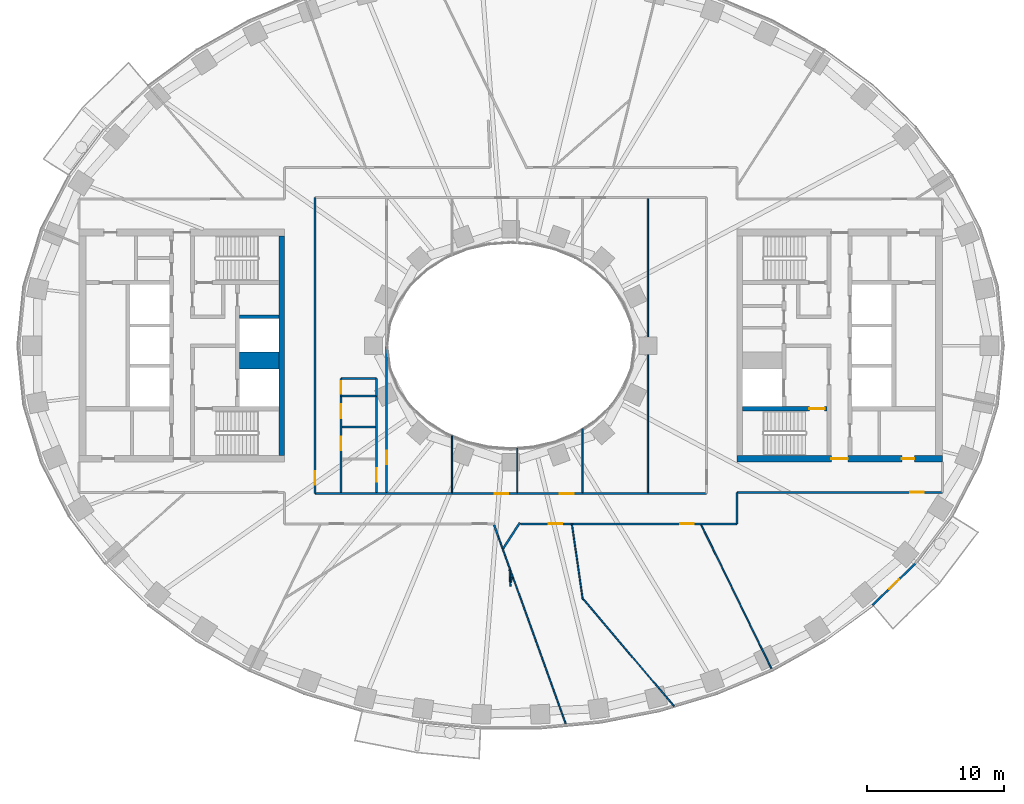
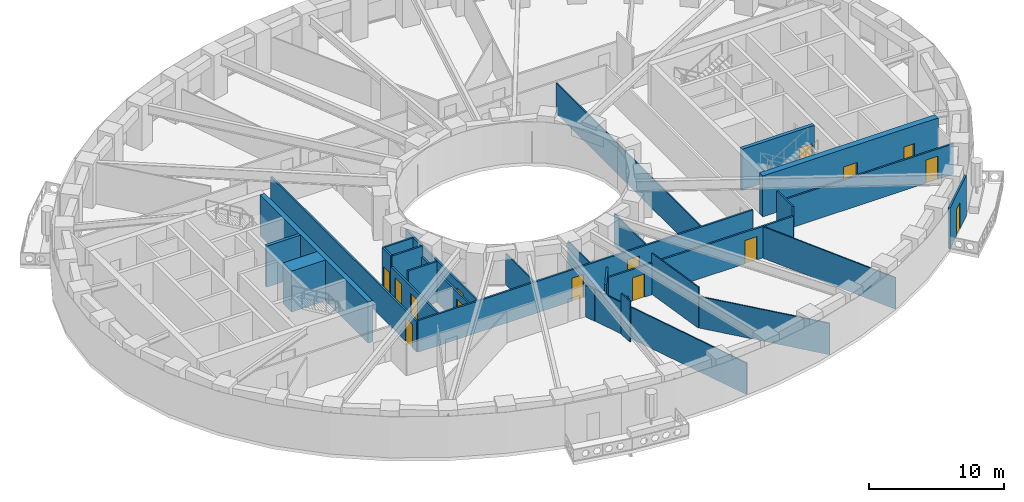
# One storey, part 4 of 16: 32 walls, 15 doors, 15 openings.
"""IFC4 building model written with IfcOpenShell, lengths in metres."""

from ifc_helpers import new_model, si_unit, direction, frame, frame_2d, origin, place, context, subcontext, project, spatial, rectangle, extrude, material, layer, layer_set, type_object, element, fill, save


model = new_model("IFC4")

# Units and contexts
model_context = context("Model", 3, precision=1e-05, world=origin(), true_north=direction((0.0, 1.0)))
body_context = subcontext(model_context, "Body", "Model", "MODEL_VIEW")
ifc_project = project(units=[si_unit("LENGTHUNIT", "METRE"), si_unit("AREAUNIT", "SQUARE_METRE"), si_unit("VOLUMEUNIT", "CUBIC_METRE"), si_unit("PLANEANGLEUNIT", "RADIAN"), si_unit("MASSUNIT", "GRAM", prefix="KILO")], contexts=[model_context])

# Site, building, storey
site_placement = place(None, origin())
site = spatial("IfcSite", under=ifc_project, at=site_placement, CompositionType="ELEMENT")
building_placement = place(site_placement, origin())
building = spatial("IfcBuilding", under=site, at=building_placement, Name="Noorbagh Ring Tower", CompositionType="ELEMENT")
storey_placement = place(building_placement, frame((0.0, 0.0, 58.5)))
storey = spatial("IfcBuildingStorey", under=building, at=storey_placement, Name="L12", CompositionType="ELEMENT", Elevation=58.5)

# Wall, opening, door
ifc_material_1 = material(Name="Gypsum board on steel studs", Category="steel")
ifc_layer_1 = layer(ifc_material_1, 0.14990234375)
ifc_layer_set_1 = layer_set([ifc_layer_1], Name="Gypsum board on steel studs")
wall_type_1 = type_object("IfcWallType", Name="COMPARTMENT PARTITION 150 EI 60", PredefinedType="PARTITIONING", material=ifc_layer_set_1)
wall_1_placement = place(storey_placement, frame((-12.39990234375, -3.659912109375, 0.0), z_axis=(0.0, 0.0, 1.0), x_axis=(0.0, 1.0, 0.0)))
wall_1 = element("IfcWall", 1, at=wall_1_placement, inside=storey, type_object=wall_type_1, Name="L12/wall/P21", PredefinedType="PARTITIONING", context=body_context, shape_type="SweptSolid", body=[
    extrude(rectangle(XDim=1.260009765625, YDim=0.14990234375, at=frame_2d((0.6298828125, 0.0))), origin(), (0.0, 0.0, 1.0), 3.699951171875),
])
opening_1_placement = place(wall_1_placement, frame((0.14990234375, 0.0, 0.0)))
opening_1 = element("IfcOpeningElement", 2, at=opening_1_placement, cuts=wall_1, Name="Opening D4", PredefinedType="OPENING", context=body_context, shape_type="SweptSolid", body=[
    extrude(rectangle(XDim=0.89990234375, YDim=2.10009765625, at=frame_2d((0.449951171875, 1.050048828125))), frame((0.0, 0.0849609375, 0.0), z_axis=(0.0, -1.0, 0.0), x_axis=(1.0, 0.0, 0.0)), (0.0, 0.0, 1.0), 0.169921875),
])
ifc_material_2 = material(Name="Timber, painted", Category="wood")
door_type_1 = type_object("IfcDoorType", Name="DOOR 900 X 2100 FD60", OperationType="SINGLE_SWING_LEFT", PredefinedType="DOOR", material=ifc_material_2)
door_1_placement = place(opening_1_placement, origin())
door_1 = element("IfcDoor", 3, at=door_1_placement, inside=storey, type_object=door_type_1, Name="L12-D05", OperationType="SINGLE_SWING_LEFT", OverallHeight=2.10009765625, OverallWidth=0.89990234375, PredefinedType="DOOR", context=body_context, shape_type="SweptSolid", body=[
    extrude(rectangle(XDim=0.89990234375, YDim=2.10009765625, at=frame_2d((0.449951171875, 1.050048828125))), frame((0.0, 0.02490234375, 0.0), z_axis=(0.0, -1.0, 0.0), x_axis=(1.0, 0.0, 0.0)), (0.0, 0.0, 1.0), 0.050048828125),
])
fill(opening_1, door_1)

# Walls
wall_2_placement = place(storey_placement, frame((-12.39990234375, -3.659912109375, 0.0), z_axis=(0.0, 0.0, 1.0), x_axis=(1.0, 0.0, 0.0)))
element("IfcWall", 4, at=wall_2_placement, inside=storey, type_object=wall_type_1, Name="L12/wall/P22", PredefinedType="PARTITIONING", context=body_context, shape_type="SweptSolid", body=[
    extrude(rectangle(XDim=2.599853515625, YDim=0.14990234375, at=frame_2d((1.2998046875, 0.0))), origin(), (0.0, 0.0, 1.0), 3.699951171875),
])
wall_3_placement = place(storey_placement, frame((-12.39990234375, -2.39990234375, 0.0), z_axis=(0.0, 0.0, 1.0), x_axis=(1.0, 0.0, 0.0)))
element("IfcWall", 5, at=wall_3_placement, inside=storey, type_object=wall_type_1, Name="L12/wall/P23", PredefinedType="PARTITIONING", context=body_context, shape_type="SweptSolid", body=[
    extrude(rectangle(XDim=2.595947265625, YDim=0.14990234375, at=frame_2d((1.2978515625, 0.0))), origin(), (0.0, 0.0, 1.0), 3.699951171875),
])
wall_4_placement = place(storey_placement, frame((-9.800048828125, -3.659912109375, 0.0), z_axis=(0.0, 0.0, 1.0), x_axis=(0.0, 1.0, 0.0)))
element("IfcWall", 6, at=wall_4_placement, inside=storey, type_object=wall_type_1, Name="L12/wall/P26", PredefinedType="PARTITIONING", context=body_context, shape_type="SweptSolid", body=[
    extrude(rectangle(XDim=1.255859375, YDim=0.14990234375, at=frame_2d((0.6279296875, 0.0))), origin(), (0.0, 0.0, 1.0), 3.699951171875),
])
ifc_material_3 = material(Name="Concrete C70/85", Category="concrete")
ifc_layer_2 = layer(ifc_material_3, 1.25)
ifc_layer_set_2 = layer_set([ifc_layer_2], Name="Concrete C70/85")
wall_type_2 = type_object("IfcWallType", Name="CORE-WALL-1250-C70-85-EI120", PredefinedType="SHEAR", material=ifc_layer_set_2)
wall_5_placement = place(storey_placement, frame((-16.89990234375, -1.074951171875, 0.0), z_axis=(0.0, 0.0, 1.0), x_axis=(-1.0, 0.0, 0.0)))
element("IfcWall", 7, at=wall_5_placement, inside=storey, type_object=wall_type_2, Name="Core wall W", PredefinedType="SHEAR", context=body_context, shape_type="SweptSolid", body=[
    extrude(rectangle(XDim=2.900146484375, YDim=1.25, at=frame_2d((1.4501953125, 0.0))), origin(), (0.0, 0.0, 1.0), 3.699951171875),
])
ifc_material_4 = material(Name="Concrete C70/85", Category="concrete")
ifc_layer_3 = layer(ifc_material_4, 0.25)
ifc_layer_set_3 = layer_set([ifc_layer_3], Name="Concrete C70/85")
wall_type_3 = type_object("IfcWallType", Name="CORE-WALL-250-C70-85-EI120", PredefinedType="SHEAR", material=ifc_layer_set_3)
wall_6_placement = place(storey_placement, frame((-16.89990234375, 2.125, 0.0), z_axis=(0.0, 0.0, 1.0), x_axis=(-1.0, 0.0, 0.0)))
element("IfcWall", 8, at=wall_6_placement, inside=storey, type_object=wall_type_3, Name="Core wall W", PredefinedType="SHEAR", context=body_context, shape_type="SweptSolid", body=[
    extrude(rectangle(XDim=2.900146484375, YDim=0.25, at=frame_2d((1.4501953125, 0.0))), origin(), (0.0, 0.0, 1.0), 3.699951171875),
])

# Wall, opening, door
ifc_material_5 = material(Name="Concrete C70/85", Category="concrete")
ifc_layer_4 = layer(ifc_material_5, 0.300048828125)
ifc_layer_set_4 = layer_set([ifc_layer_4], Name="Concrete C70/85")
wall_type_4 = type_object("IfcWallType", Name="CORE-WALL-300-C70-85-EI240", PredefinedType="SHEAR", material=ifc_layer_set_4)
wall_7_placement = place(storey_placement, frame((16.89990234375, -4.60009765625, 0.0), z_axis=(0.0, 0.0, 1.0), x_axis=(1.0, 0.0, 0.0)))
wall_7 = element("IfcWall", 9, at=wall_7_placement, inside=storey, type_object=wall_type_4, Name="Core wall E", PredefinedType="SHEAR", context=body_context, shape_type="SweptSolid", body=[
    extrude(rectangle(XDim=6.18017578125, YDim=0.300048828125, at=frame_2d((3.090087890625, 0.0))), origin(), (0.0, 0.0, 1.0), 3.699951171875),
])
opening_2_placement = place(wall_7_placement, frame((4.89990234375, 0.0, 0.0)))
opening_2 = element("IfcOpeningElement", 10, at=opening_2_placement, cuts=wall_7, Name="Opening L12-CE06", PredefinedType="OPENING", context=body_context, shape_type="SweptSolid", body=[
    extrude(rectangle(XDim=1.10009765625, YDim=2.10009765625, at=frame_2d((0.550048828125, 1.050048828125))), frame((0.0, 0.16015625, 0.0), z_axis=(0.0, -1.0, 0.0), x_axis=(1.0, 0.0, 0.0)), (0.0, 0.0, 1.0), 0.320068359375),
])
ifc_material_6 = material(Name="Steel door leaf", Category="steel")
door_type_2 = type_object("IfcDoorType", Name="CORE-DOOR-DSTAIR", OperationType="SINGLE_SWING_LEFT", PredefinedType="DOOR", material=ifc_material_6)
door_2_placement = place(opening_2_placement, origin())
door_2 = element("IfcDoor", 11, at=door_2_placement, inside=storey, type_object=door_type_2, Name="Stair door ST4 L12-CE06", OperationType="SINGLE_SWING_RIGHT", OverallHeight=2.10009765625, OverallWidth=1.10009765625, PredefinedType="DOOR", context=body_context, shape_type="SweptSolid", body=[
    extrude(rectangle(XDim=1.10009765625, YDim=2.10009765625, at=frame_2d((0.550048828125, 1.050048828125))), frame((0.0, 0.02490234375, 0.0), z_axis=(0.0, -1.0, 0.0), x_axis=(1.0, 0.0, 0.0)), (0.0, 0.0, 1.0), 0.050048828125),
])
fill(opening_2, door_2)

# Wall
ifc_material_7 = material(Name="Concrete C70/85", Category="concrete")
ifc_layer_5 = layer(ifc_material_7, 0.39990234375)
ifc_layer_set_5 = layer_set([ifc_layer_5], Name="Concrete C70/85")
wall_type_5 = type_object("IfcWallType", Name="CORE-WALL-400-C70-85-EI240", PredefinedType="SHEAR", material=ifc_layer_set_5)
wall_8_placement = place(storey_placement, frame((-16.699951171875, -8.0, 0.0), z_axis=(0.0, 0.0, 1.0), x_axis=(0.0, 1.0, 0.0)))
element("IfcWall", 12, at=wall_8_placement, inside=storey, type_object=wall_type_5, Name="Core wall W", PredefinedType="SHEAR", context=body_context, shape_type="SweptSolid", body=[
    extrude(rectangle(XDim=16.0, YDim=0.39990234375, at=frame_2d((8.0, 0.0))), origin(), (0.0, 0.0, 1.0), 3.699951171875),
])

# Wall, openings, doors
ifc_material_8 = material(Name="Concrete C70/85", Category="concrete")
ifc_layer_6 = layer(ifc_material_8, 0.5)
ifc_layer_set_6 = layer_set([ifc_layer_6], Name="Concrete C70/85")
wall_type_6 = type_object("IfcWallType", Name="CORE-WALL-500-C70-85-EI240", PredefinedType="SHEAR", material=ifc_layer_set_6)
wall_9_placement = place(storey_placement, frame((16.5, -8.25, 0.0), z_axis=(0.0, 0.0, 1.0), x_axis=(1.0, 0.0, 0.0)))
wall_9 = element("IfcWall", 13, at=wall_9_placement, inside=storey, type_object=wall_type_6, Name="Core wall E", PredefinedType="SHEAR", context=body_context, shape_type="SweptSolid", body=[
    extrude(rectangle(XDim=15.0, YDim=0.5, at=frame_2d((7.5, 0.0))), origin(), (0.0, 0.0, 1.0), 3.699951171875),
])
opening_3_placement = place(wall_9_placement, frame((6.89990234375, 0.0, 0.0)))
opening_3 = element("IfcOpeningElement", 14, at=opening_3_placement, cuts=wall_9, Name="Opening L12-CE10", PredefinedType="OPENING", context=body_context, shape_type="SweptSolid", body=[
    extrude(rectangle(XDim=1.199951171875, YDim=2.10009765625, at=frame_2d((0.60009765625, 1.050048828125))), frame((0.0, 0.260009765625, 0.0), z_axis=(0.0, -1.0, 0.0), x_axis=(1.0, 0.0, 0.0)), (0.0, 0.0, 1.0), 0.52001953125),
])
opening_4_placement = place(wall_9_placement, frame((12.050048828125, 0.0, 0.0)))
opening_4 = element("IfcOpeningElement", 15, at=opening_4_placement, cuts=wall_9, Name="Opening L12-CE17", PredefinedType="OPENING", context=body_context, shape_type="SweptSolid", body=[
    extrude(rectangle(XDim=0.89990234375, YDim=2.10009765625, at=frame_2d((0.449951171875, 1.050048828125))), frame((0.0, 0.260009765625, 0.0), z_axis=(0.0, -1.0, 0.0), x_axis=(1.0, 0.0, 0.0)), (0.0, 0.0, 1.0), 0.52001953125),
])
ifc_material_9 = material(Name="Steel door leaf", Category="steel")
door_type_3 = type_object("IfcDoorType", Name="CORE-DOOR-DROOM", OperationType="SINGLE_SWING_LEFT", PredefinedType="DOOR", material=ifc_material_9)
door_3_placement = place(opening_4_placement, origin())
door_3 = element("IfcDoor", 16, at=door_3_placement, inside=storey, type_object=door_type_3, Name="Core room door L12-CE17", OperationType="SINGLE_SWING_RIGHT", OverallHeight=2.10009765625, OverallWidth=0.89990234375, PredefinedType="DOOR", context=body_context, shape_type="SweptSolid", body=[
    extrude(rectangle(XDim=0.89990234375, YDim=2.10009765625, at=frame_2d((0.449951171875, 1.050048828125))), frame((0.0, 0.02490234375, 0.0), z_axis=(0.0, -1.0, 0.0), x_axis=(1.0, 0.0, 0.0)), (0.0, 0.0, 1.0), 0.050048828125),
])
fill(opening_4, door_3)
ifc_material_10 = material(Name="Steel door leaf", Category="steel")
door_type_4 = type_object("IfcDoorType", Name="CORE-DOOR-PORT", OperationType="DOUBLE_DOOR_DOUBLE_SWING", PredefinedType="DOOR", material=ifc_material_10)
door_4_placement = place(opening_3_placement, origin())
door_4 = element("IfcDoor", 17, at=door_4_placement, inside=storey, type_object=door_type_4, Name="Core entrance door L12-CE10", OperationType="DOUBLE_DOOR_DOUBLE_SWING", OverallHeight=2.10009765625, OverallWidth=1.199951171875, PredefinedType="DOOR", context=body_context, shape_type="SweptSolid", body=[
    extrude(rectangle(XDim=1.199951171875, YDim=2.10009765625, at=frame_2d((0.60009765625, 1.050048828125))), frame((0.0, 0.02490234375, 0.0), z_axis=(0.0, -1.0, 0.0), x_axis=(1.0, 0.0, 0.0)), (0.0, 0.0, 1.0), 0.050048828125),
])
fill(opening_3, door_4)

# Wall, opening, door
ifc_material_11 = material(Name="Gypsum board on steel studs", Category="steel")
ifc_layer_7 = layer(ifc_material_11, 0.14990234375)
ifc_layer_set_7 = layer_set([ifc_layer_7], Name="Gypsum board on steel studs")
wall_type_7 = type_object("IfcWallType", Name="CORRIDOR PARTITION 150 EI 30", PredefinedType="PARTITIONING", material=ifc_layer_set_7)
wall_10_placement = place(storey_placement, frame((-14.300048828125, -10.800048828125, 0.0), z_axis=(0.0, 0.0, 1.0), x_axis=(0.0, 1.0, 0.0)))
wall_10 = element("IfcWall", 18, at=wall_10_placement, inside=storey, type_object=wall_type_7, Name="L12/wall/P15", PredefinedType="PARTITIONING", context=body_context, shape_type="SweptSolid", body=[
    extrude(rectangle(XDim=21.60009765625, YDim=0.14990234375, at=frame_2d((10.800048828125, 0.0))), origin(), (0.0, 0.0, 1.0), 2.75),
])
opening_5_placement = place(wall_10_placement, frame((0.64990234375, 0.0, 0.0)))
opening_5 = element("IfcOpeningElement", 19, at=opening_5_placement, cuts=wall_10, Name="Opening D1", PredefinedType="OPENING", context=body_context, shape_type="SweptSolid", body=[
    extrude(rectangle(XDim=1.0, YDim=2.10009765625, at=frame_2d((0.5, 1.050048828125))), frame((0.0, 0.0849609375, 0.0), z_axis=(0.0, -1.0, 0.0), x_axis=(1.0, 0.0, 0.0)), (0.0, 0.0, 1.0), 0.169921875),
])
ifc_material_12 = material(Name="Timber, painted", Category="wood")
door_type_5 = type_object("IfcDoorType", Name="DOOR 1000 X 2100 FD30", OperationType="SINGLE_SWING_LEFT", PredefinedType="DOOR", material=ifc_material_12)
door_5_placement = place(opening_5_placement, origin())
door_5 = element("IfcDoor", 20, at=door_5_placement, inside=storey, type_object=door_type_5, Name="L12-D01", OperationType="SINGLE_SWING_LEFT", OverallHeight=2.10009765625, OverallWidth=1.0, PredefinedType="DOOR", context=body_context, shape_type="SweptSolid", body=[
    extrude(rectangle(XDim=1.0, YDim=2.10009765625, at=frame_2d((0.5, 1.050048828125))), frame((0.0, 0.02490234375, 0.0), z_axis=(0.0, -1.0, 0.0), x_axis=(1.0, 0.0, 0.0)), (0.0, 0.0, 1.0), 0.050048828125),
])
fill(opening_5, door_5)

# Wall, openings, doors
wall_11_placement = place(storey_placement, frame((-14.300048828125, -10.800048828125, 0.0), z_axis=(0.0, 0.0, 1.0), x_axis=(1.0, 0.0, 0.0)))
wall_11 = element("IfcWall", 21, at=wall_11_placement, inside=storey, type_object=wall_type_7, Name="L12/wall/P16", PredefinedType="PARTITIONING", context=body_context, shape_type="SweptSolid", body=[
    extrude(rectangle(XDim=28.60009765625, YDim=0.14990234375, at=frame_2d((14.300048828125, 0.0))), origin(), (0.0, 0.0, 1.0), 2.85009765625),
])
opening_6_placement = place(wall_11_placement, frame((13.126953125, 0.0, 0.0)))
opening_6 = element("IfcOpeningElement", 22, at=opening_6_placement, cuts=wall_11, Name="Opening D1", PredefinedType="OPENING", context=body_context, shape_type="SweptSolid", body=[
    extrude(rectangle(XDim=1.0, YDim=2.10009765625, at=frame_2d((0.5, 1.050048828125))), frame((0.0, 0.0849609375, 0.0), z_axis=(0.0, -1.0, 0.0), x_axis=(1.0, 0.0, 0.0)), (0.0, 0.0, 1.0), 0.169921875),
])
opening_7_placement = place(wall_11_placement, frame((17.89306640625, 0.0, 0.0)))
opening_7 = element("IfcOpeningElement", 23, at=opening_7_placement, cuts=wall_11, Name="Opening D1", PredefinedType="OPENING", context=body_context, shape_type="SweptSolid", body=[
    extrude(rectangle(XDim=1.0, YDim=2.10009765625, at=frame_2d((0.5, 1.050048828125))), frame((0.0, 0.0849609375, 0.0), z_axis=(0.0, -1.0, 0.0), x_axis=(1.0, 0.0, 0.0)), (0.0, 0.0, 1.0), 0.169921875),
])
door_6_placement = place(opening_6_placement, origin())
door_6 = element("IfcDoor", 24, at=door_6_placement, inside=storey, type_object=door_type_5, Name="L12-D23", OperationType="SINGLE_SWING_LEFT", OverallHeight=2.10009765625, OverallWidth=1.0, PredefinedType="DOOR", context=body_context, shape_type="SweptSolid", body=[
    extrude(rectangle(XDim=1.0, YDim=2.10009765625, at=frame_2d((0.5, 1.050048828125))), frame((0.0, 0.02490234375, 0.0), z_axis=(0.0, -1.0, 0.0), x_axis=(1.0, 0.0, 0.0)), (0.0, 0.0, 1.0), 0.050048828125),
])
fill(opening_6, door_6)
door_7_placement = place(opening_7_placement, origin())
door_7 = element("IfcDoor", 25, at=door_7_placement, inside=storey, type_object=door_type_5, Name="L12-D25", OperationType="SINGLE_SWING_LEFT", OverallHeight=2.10009765625, OverallWidth=1.0, PredefinedType="DOOR", context=body_context, shape_type="SweptSolid", body=[
    extrude(rectangle(XDim=1.0, YDim=2.10009765625, at=frame_2d((0.5, 1.050048828125))), frame((0.0, 0.02490234375, 0.0), z_axis=(0.0, -1.0, 0.0), x_axis=(1.0, 0.0, 0.0)), (0.0, 0.0, 1.0), 0.050048828125),
])
fill(opening_7, door_7)

wall_12_placement = place(storey_placement, frame((-12.39990234375, -10.72509765625, 0.0), z_axis=(0.0, 0.0, 1.0), x_axis=(0.0, 1.0, 0.0)))
wall_12 = element("IfcWall", 26, at=wall_12_placement, inside=storey, type_object=wall_type_7, Name="L12/wall/P18", PredefinedType="PARTITIONING", context=body_context, shape_type="SweptSolid", body=[
    extrude(rectangle(XDim=7.065185546875, YDim=0.14990234375, at=frame_2d((3.53271484375, 0.0))), origin(), (0.0, 0.0, 1.0), 2.75),
])
opening_8_placement = place(wall_12_placement, frame((3.094970703125, 0.0, 0.0)))
opening_8 = element("IfcOpeningElement", 27, at=opening_8_placement, cuts=wall_12, Name="Opening D3", PredefinedType="OPENING", context=body_context, shape_type="SweptSolid", body=[
    extrude(rectangle(XDim=1.0, YDim=2.10009765625, at=frame_2d((0.5, 1.050048828125))), frame((0.0, 0.0849609375, 0.0), z_axis=(0.0, -1.0, 0.0), x_axis=(1.0, 0.0, 0.0)), (0.0, 0.0, 1.0), 0.169921875),
])
opening_9_placement = place(wall_12_placement, frame((5.447021484375, 0.0, 0.0)))
opening_9 = element("IfcOpeningElement", 28, at=opening_9_placement, cuts=wall_12, Name="Opening D3", PredefinedType="OPENING", context=body_context, shape_type="SweptSolid", body=[
    extrude(rectangle(XDim=1.0, YDim=2.10009765625, at=frame_2d((0.5, 1.050048828125))), frame((0.0, 0.0849609375, 0.0), z_axis=(0.0, -1.0, 0.0), x_axis=(1.0, 0.0, 0.0)), (0.0, 0.0, 1.0), 0.169921875),
])
ifc_material_13 = material(Name="Timber, painted", Category="wood")
door_type_6 = type_object("IfcDoorType", Name="DOOR 1000 X 2100 WC", OperationType="SINGLE_SWING_LEFT", PredefinedType="DOOR", material=ifc_material_13)
door_8_placement = place(opening_8_placement, origin())
door_8 = element("IfcDoor", 29, at=door_8_placement, inside=storey, type_object=door_type_6, Name="L12-D03", OperationType="SINGLE_SWING_LEFT", OverallHeight=2.10009765625, OverallWidth=1.0, PredefinedType="DOOR", context=body_context, shape_type="SweptSolid", body=[
    extrude(rectangle(XDim=1.0, YDim=2.10009765625, at=frame_2d((0.5, 1.050048828125))), frame((0.0, 0.02490234375, 0.0), z_axis=(0.0, -1.0, 0.0), x_axis=(1.0, 0.0, 0.0)), (0.0, 0.0, 1.0), 0.050048828125),
])
fill(opening_8, door_8)
door_9_placement = place(opening_9_placement, origin())
door_9 = element("IfcDoor", 30, at=door_9_placement, inside=storey, type_object=door_type_6, Name="L12-D04", OperationType="SINGLE_SWING_RIGHT", OverallHeight=2.10009765625, OverallWidth=1.0, PredefinedType="DOOR", context=body_context, shape_type="SweptSolid", body=[
    extrude(rectangle(XDim=1.0, YDim=2.10009765625, at=frame_2d((0.5, 1.050048828125))), frame((0.0, 0.02490234375, 0.0), z_axis=(0.0, -1.0, 0.0), x_axis=(1.0, 0.0, 0.0)), (0.0, 0.0, 1.0), 0.050048828125),
])
fill(opening_9, door_9)

# Wall
wall_13_placement = place(storey_placement, frame((-12.324951171875, -5.927978515625, 0.0), z_axis=(0.0, 0.0, 1.0), x_axis=(1.0, 0.0, 0.0)))
element("IfcWall", 31, at=wall_13_placement, inside=storey, type_object=wall_type_7, Name="L12/wall/P20", PredefinedType="PARTITIONING", context=body_context, shape_type="SweptSolid", body=[
    extrude(rectangle(XDim=2.449951171875, YDim=0.14990234375, at=frame_2d((1.22509765625, 0.0))), origin(), (0.0, 0.0, 1.0), 3.699951171875),
])

# Wall, opening, door
wall_14_placement = place(storey_placement, frame((-9.800048828125, -10.72509765625, 0.0), z_axis=(0.0, 0.0, 1.0), x_axis=(0.0, 1.0, 0.0)))
wall_14 = element("IfcWall", 32, at=wall_14_placement, inside=storey, type_object=wall_type_7, Name="L12/wall/P25", PredefinedType="PARTITIONING", context=body_context, shape_type="SweptSolid", body=[
    extrude(rectangle(XDim=7.065185546875, YDim=0.14990234375, at=frame_2d((3.53271484375, 0.0))), origin(), (0.0, 0.0, 1.0), 2.75),
])
opening_10_placement = place(wall_14_placement, frame((0.794921875, 0.0, 0.0)))
opening_10 = element("IfcOpeningElement", 33, at=opening_10_placement, cuts=wall_14, Name="Opening D3", PredefinedType="OPENING", context=body_context, shape_type="SweptSolid", body=[
    extrude(rectangle(XDim=1.0, YDim=2.10009765625, at=frame_2d((0.5, 1.050048828125))), frame((0.0, 0.0849609375, 0.0), z_axis=(0.0, -1.0, 0.0), x_axis=(1.0, 0.0, 0.0)), (0.0, 0.0, 1.0), 0.169921875),
])
door_10_placement = place(opening_10_placement, origin())
door_10 = element("IfcDoor", 34, at=door_10_placement, inside=storey, type_object=door_type_6, Name="L12-D02", OperationType="SINGLE_SWING_RIGHT", OverallHeight=2.10009765625, OverallWidth=1.0, PredefinedType="DOOR", context=body_context, shape_type="SweptSolid", body=[
    extrude(rectangle(XDim=1.0, YDim=2.10009765625, at=frame_2d((0.5, 1.050048828125))), frame((0.0, 0.02490234375, 0.0), z_axis=(0.0, -1.0, 0.0), x_axis=(1.0, 0.0, 0.0)), (0.0, 0.0, 1.0), 0.050048828125),
])
fill(opening_10, door_10)

wall_15_placement = place(storey_placement, frame((-9.056884765625, -10.72509765625, 0.0), z_axis=(0.0, 0.0, 1.0), x_axis=(0.0, 1.0, 0.0)))
wall_15 = element("IfcWall", 35, at=wall_15_placement, inside=storey, type_object=wall_type_7, Name="L12/wall/P27", PredefinedType="PARTITIONING", context=body_context, shape_type="SweptSolid", body=[
    extrude(rectangle(XDim=10.68017578125, YDim=0.14990234375, at=frame_2d((5.340087890625, 0.0))), origin(), (0.0, 0.0, 1.0), 2.75),
])
opening_11_placement = place(wall_15_placement, frame((2.074951171875, 0.0, 0.0)))
opening_11 = element("IfcOpeningElement", 36, at=opening_11_placement, cuts=wall_15, Name="Opening D1", PredefinedType="OPENING", context=body_context, shape_type="SweptSolid", body=[
    extrude(rectangle(XDim=1.0, YDim=2.10009765625, at=frame_2d((0.5, 1.050048828125))), frame((0.0, 0.0849609375, 0.0), z_axis=(0.0, -1.0, 0.0), x_axis=(1.0, 0.0, 0.0)), (0.0, 0.0, 1.0), 0.169921875),
])
door_11_placement = place(opening_11_placement, origin())
door_11 = element("IfcDoor", 37, at=door_11_placement, inside=storey, type_object=door_type_5, Name="L12-D21", OperationType="SINGLE_SWING_LEFT", OverallHeight=2.10009765625, OverallWidth=1.0, PredefinedType="DOOR", context=body_context, shape_type="SweptSolid", body=[
    extrude(rectangle(XDim=1.0, YDim=2.10009765625, at=frame_2d((0.5, 1.050048828125))), frame((0.0, 0.02490234375, 0.0), z_axis=(0.0, -1.0, 0.0), x_axis=(1.0, 0.0, 0.0)), (0.0, 0.0, 1.0), 0.050048828125),
])
fill(opening_11, door_11)

# Walls
wall_16_placement = place(storey_placement, frame((-1.218017578125, -13.0791015625, 0.0), z_axis=(0.0, 0.0, 1.0), x_axis=(0.339052677967, -0.940767389722, 0.0)))
element("IfcWall", 38, at=wall_16_placement, inside=storey, type_object=wall_type_7, Name="L12/wall/P34", PredefinedType="PARTITIONING", context=body_context, shape_type="SweptSolid", body=[
    extrude(rectangle(XDim=0.882080078125, YDim=0.14990234375, at=frame_2d((0.44091796875, 0.0))), origin(), (0.0, 0.0, 1.0), 2.85009765625),
])
wall_17_placement = place(storey_placement, frame((-0.553955078125, -14.805908203125, 0.0), z_axis=(0.0, 0.0, 1.0), x_axis=(0.542256038928, 0.840213299256, 0.0)))
element("IfcWall", 39, at=wall_17_placement, inside=storey, type_object=wall_type_7, Name="L12/wall/P37", PredefinedType="PARTITIONING", context=body_context, shape_type="SweptSolid", body=[
    extrude(rectangle(XDim=2.238525390625, YDim=0.14990234375, at=frame_2d((1.119140625, 0.0))), origin(), (0.0, 0.0, 1.0), 3.699951171875),
])

# Wall, opening, door
wall_18_placement = place(storey_placement, frame((0.700927734375, -13.0, 0.0), z_axis=(0.0, 0.0, 1.0), x_axis=(1.0, 0.0, 0.0)))
wall_18 = element("IfcWall", 40, at=wall_18_placement, inside=storey, type_object=wall_type_7, Name="L12/wall/P41", PredefinedType="PARTITIONING", context=body_context, shape_type="SweptSolid", body=[
    extrude(rectangle(XDim=3.758056640625, YDim=0.14990234375, at=frame_2d((1.87890625, 0.0))), origin(), (0.0, 0.0, 1.0), 2.85009765625),
])
opening_12_placement = place(wall_18_placement, frame((2.06103515625, 0.0, 0.0)))
opening_12 = element("IfcOpeningElement", 41, at=opening_12_placement, cuts=wall_18, Name="Opening D1", PredefinedType="OPENING", context=body_context, shape_type="SweptSolid", body=[
    extrude(rectangle(XDim=1.0, YDim=2.10009765625, at=frame_2d((0.5, 1.050048828125))), frame((0.0, 0.0849609375, 0.0), z_axis=(0.0, -1.0, 0.0), x_axis=(1.0, 0.0, 0.0)), (0.0, 0.0, 1.0), 0.169921875),
])
door_12_placement = place(opening_12_placement, origin())
door_12 = element("IfcDoor", 42, at=door_12_placement, inside=storey, type_object=door_type_5, Name="L12-D14", OperationType="SINGLE_SWING_RIGHT", OverallHeight=2.10009765625, OverallWidth=1.0, PredefinedType="DOOR", context=body_context, shape_type="SweptSolid", body=[
    extrude(rectangle(XDim=1.0, YDim=2.10009765625, at=frame_2d((0.5, 1.050048828125))), frame((0.0, 0.02490234375, 0.0), z_axis=(0.0, -1.0, 0.0), x_axis=(1.0, 0.0, 0.0)), (0.0, 0.0, 1.0), 0.050048828125),
])
fill(opening_12, door_12)

wall_19_placement = place(storey_placement, frame((4.47900390625, -13.0, 0.0), z_axis=(0.0, 0.0, 1.0), x_axis=(1.0, 0.0, 0.0)))
wall_19 = element("IfcWall", 43, at=wall_19_placement, inside=storey, type_object=wall_type_7, Name="L12/wall/P45", PredefinedType="PARTITIONING", context=body_context, shape_type="SweptSolid", body=[
    extrude(rectangle(XDim=12.02099609375, YDim=0.14990234375, at=frame_2d((6.010498046875, 0.0))), origin(), (0.0, 0.0, 1.0), 2.85009765625),
])
opening_13_placement = place(wall_19_placement, frame((7.8798828125, 0.0, 0.0)))
opening_13 = element("IfcOpeningElement", 44, at=opening_13_placement, cuts=wall_19, Name="Opening D1", PredefinedType="OPENING", context=body_context, shape_type="SweptSolid", body=[
    extrude(rectangle(XDim=1.0, YDim=2.10009765625, at=frame_2d((0.5, 1.050048828125))), frame((0.0, 0.0849609375, 0.0), z_axis=(0.0, -1.0, 0.0), x_axis=(1.0, 0.0, 0.0)), (0.0, 0.0, 1.0), 0.169921875),
])
door_13_placement = place(opening_13_placement, origin())
door_13 = element("IfcDoor", 45, at=door_13_placement, inside=storey, type_object=door_type_5, Name="L12-D16", OperationType="SINGLE_SWING_RIGHT", OverallHeight=2.10009765625, OverallWidth=1.0, PredefinedType="DOOR", context=body_context, shape_type="SweptSolid", body=[
    extrude(rectangle(XDim=1.0, YDim=2.10009765625, at=frame_2d((0.5, 1.050048828125))), frame((0.0, 0.02490234375, 0.0), z_axis=(0.0, -1.0, 0.0), x_axis=(1.0, 0.0, 0.0)), (0.0, 0.0, 1.0), 0.050048828125),
])
fill(opening_13, door_13)

# Wall
wall_20_placement = place(storey_placement, frame((16.5, -13.0, 0.0), z_axis=(0.0, 0.0, 1.0), x_axis=(0.0, 1.0, 0.0)))
element("IfcWall", 46, at=wall_20_placement, inside=storey, type_object=wall_type_7, Name="L12/wall/P54", PredefinedType="PARTITIONING", context=body_context, shape_type="SweptSolid", body=[
    extrude(rectangle(XDim=2.300048828125, YDim=0.14990234375, at=frame_2d((1.14990234375, 0.0))), origin(), (0.0, 0.0, 1.0), 3.699951171875),
])

# Wall, opening, door
wall_21_placement = place(storey_placement, frame((16.5, -10.699951171875, 0.0), z_axis=(0.0, 0.0, 1.0), x_axis=(1.0, 0.0, 0.0)))
wall_21 = element("IfcWall", 47, at=wall_21_placement, inside=storey, type_object=wall_type_7, Name="L12/wall/P55", PredefinedType="PARTITIONING", context=body_context, shape_type="SweptSolid", body=[
    extrude(rectangle(XDim=15.0, YDim=0.14990234375, at=frame_2d((7.5, 0.0))), origin(), (0.0, 0.0, 1.0), 2.75),
])
opening_14_placement = place(wall_21_placement, frame((12.64990234375, 0.0, 0.0)))
opening_14 = element("IfcOpeningElement", 48, at=opening_14_placement, cuts=wall_21, Name="Opening D1", PredefinedType="OPENING", context=body_context, shape_type="SweptSolid", body=[
    extrude(rectangle(XDim=1.0, YDim=2.10009765625, at=frame_2d((0.5, 1.050048828125))), frame((0.0, 0.0849609375, 0.0), z_axis=(0.0, -1.0, 0.0), x_axis=(1.0, 0.0, 0.0)), (0.0, 0.0, 1.0), 0.169921875),
])
door_14_placement = place(opening_14_placement, origin())
door_14 = element("IfcDoor", 49, at=door_14_placement, inside=storey, type_object=door_type_5, Name="L12-D18", OperationType="SINGLE_SWING_RIGHT", OverallHeight=2.10009765625, OverallWidth=1.0, PredefinedType="DOOR", context=body_context, shape_type="SweptSolid", body=[
    extrude(rectangle(XDim=1.0, YDim=2.10009765625, at=frame_2d((0.5, 1.050048828125))), frame((0.0, 0.02490234375, 0.0), z_axis=(0.0, -1.0, 0.0), x_axis=(1.0, 0.0, 0.0)), (0.0, 0.0, 1.0), 0.050048828125),
])
fill(opening_14, door_14)

ifc_material_14 = material(Name="Insulated aluminium clad panel", Category="aluminium")
ifc_layer_8 = layer(ifc_material_14, 0.14990234375)
ifc_layer_set_8 = layer_set([ifc_layer_8], Name="Insulated aluminium clad panel")
wall_type_8 = type_object("IfcWallType", Name="ENV-WALL-DOOR", PredefinedType="STANDARD", material=ifc_layer_set_8)
wall_22_placement = place(storey_placement, frame((26.396484375, -18.943359375, 0.0), z_axis=(0.0, 0.0, 1.0), x_axis=(0.717214761864, 0.696852197647, 0.0)))
wall_22 = element("IfcWall", 50, at=wall_22_placement, inside=storey, type_object=wall_type_8, Name="Balcony door wall chord 42", PredefinedType="STANDARD", context=body_context, shape_type="SweptSolid", body=[
    extrude(rectangle(XDim=4.424072265625, YDim=0.14990234375, at=frame_2d((2.2119140625, 0.0))), origin(), (0.0, 0.0, 1.0), 3.699951171875),
])
opening_15_placement = place(wall_22_placement, frame((1.712158203125, 0.0, 0.0)))
opening_15 = element("IfcOpeningElement", 51, at=opening_15_placement, cuts=wall_22, Name="Opening D-BL", PredefinedType="OPENING", context=body_context, shape_type="SweptSolid", body=[
    extrude(rectangle(XDim=1.0, YDim=2.39990234375, at=frame_2d((0.5, 1.199951171875))), frame((0.0, 0.0849609375, 0.0), z_axis=(0.0, -1.0, 0.0), x_axis=(1.0, 0.0, 0.0)), (0.0, 0.0, 1.0), 0.169921875),
])
ifc_material_15 = material(Name="Aluminium and glass", Category="aluminium")
door_type_7 = type_object("IfcDoorType", Name="ENV-DOOR-BALCONY", OperationType="SINGLE_SWING_LEFT", PredefinedType="DOOR", material=ifc_material_15)
door_15_placement = place(opening_15_placement, origin())
door_15 = element("IfcDoor", 52, at=door_15_placement, inside=storey, type_object=door_type_7, Name="Balcony door chord 42", OperationType="SINGLE_SWING_LEFT", OverallHeight=2.39990234375, OverallWidth=1.0, PredefinedType="DOOR", context=body_context, shape_type="SweptSolid", body=[
    extrude(rectangle(XDim=1.0, YDim=2.39990234375, at=frame_2d((0.5, 1.199951171875))), frame((0.0, 0.02490234375, 0.0), z_axis=(0.0, -1.0, 0.0), x_axis=(1.0, 0.0, 0.0)), (0.0, 0.0, 1.0), 0.050048828125),
])
fill(opening_15, door_15)

# Walls
ifc_material_16 = material(Name="Gypsum board on steel studs", Category="steel")
ifc_layer_9 = layer(ifc_material_16, 0.10009765625)
ifc_layer_set_9 = layer_set([ifc_layer_9], Name="Gypsum board on steel studs")
wall_type_9 = type_object("IfcWallType", Name="PARTITION 100 GYPSUM", PredefinedType="PARTITIONING", material=ifc_layer_set_9)
wall_23_placement = place(storey_placement, frame((-4.2900390625, -10.72509765625, 0.0), z_axis=(0.0, 0.0, 1.0), x_axis=(0.0, 1.0, 0.0)))
element("IfcWall", 53, at=wall_23_placement, inside=storey, type_object=wall_type_9, Name="L12/wall/P30", PredefinedType="PARTITIONING", context=body_context, shape_type="SweptSolid", body=[
    extrude(rectangle(XDim=4.156982421875, YDim=0.10009765625, at=frame_2d((2.07861328125, 0.0))), origin(), (0.0, 0.0, 1.0), 2.85009765625),
])
wall_24_placement = place(storey_placement, frame((-0.916015625, -13.91796875, 0.0), z_axis=(0.0, 0.0, 1.0), x_axis=(0.338981210053, -0.940793143699, 0.0)))
element("IfcWall", 54, at=wall_24_placement, inside=storey, type_object=wall_type_9, Name="L12/wall/P35", PredefinedType="PARTITIONING", context=body_context, shape_type="SweptSolid", body=[
    extrude(rectangle(XDim=14.664306640625, YDim=0.10009765625, at=frame_2d((7.33203125, 0.0))), origin(), (0.0, 0.0, 1.0), 2.85009765625),
])
wall_25_placement = place(storey_placement, frame((-0.083984375, -16.35595703125, 0.0), z_axis=(0.0, 0.0, 1.0), x_axis=(0.047967320325, -0.998848905581, 0.0)))
element("IfcWall", 55, at=wall_25_placement, inside=storey, type_object=wall_type_9, Name="L12/wall/P36", PredefinedType="PARTITIONING", context=body_context, shape_type="SweptSolid", body=[
    extrude(rectangle(XDim=1.21142578125, YDim=0.10009765625, at=frame_2d((0.605712890625, 0.0))), origin(), (0.0, 0.0, 1.0), 3.699951171875),
])
wall_26_placement = place(storey_placement, frame((0.001953125, -17.283935546875, 0.0), z_axis=(0.0, 0.0, 1.0), x_axis=(0.240121592304, 0.970742819139, 0.0)))
element("IfcWall", 56, at=wall_26_placement, inside=storey, type_object=wall_type_9, Name="L12/wall/P38", PredefinedType="PARTITIONING", context=body_context, shape_type="SweptSolid", body=[
    extrude(rectangle(XDim=0.404541015625, YDim=0.10009765625, at=frame_2d((0.2021484375, 0.0))), origin(), (0.0, 0.0, 1.0), 3.699951171875),
])
wall_27_placement = place(storey_placement, frame((0.47705078125, -10.72509765625, 0.0), z_axis=(0.0, 0.0, 1.0), x_axis=(0.0, 1.0, 0.0)))
element("IfcWall", 57, at=wall_27_placement, inside=storey, type_object=wall_type_9, Name="L12/wall/P39", PredefinedType="PARTITIONING", context=body_context, shape_type="SweptSolid", body=[
    extrude(rectangle(XDim=3.257080078125, YDim=0.10009765625, at=frame_2d((1.62841796875, 0.0))), origin(), (0.0, 0.0, 1.0), 2.85009765625),
])
wall_28_placement = place(storey_placement, frame((4.458984375, -13.00390625, 0.0), z_axis=(0.0, 0.0, 1.0), x_axis=(0.143036391033, -0.989717429795, 0.0)))
element("IfcWall", 58, at=wall_28_placement, inside=storey, type_object=wall_type_9, Name="L12/wall/P44", PredefinedType="PARTITIONING", context=body_context, shape_type="SweptSolid", body=[
    extrude(rectangle(XDim=5.58642578125, YDim=0.10009765625, at=frame_2d((2.793212890625, 0.0))), origin(), (0.0, 0.0, 1.0), 3.699951171875),
])
wall_29_placement = place(storey_placement, frame((5.242919921875, -10.72509765625, 0.0), z_axis=(0.0, 0.0, 1.0), x_axis=(0.0, 1.0, 0.0)))
element("IfcWall", 59, at=wall_29_placement, inside=storey, type_object=wall_type_9, Name="L12/wall/P46", PredefinedType="PARTITIONING", context=body_context, shape_type="SweptSolid", body=[
    extrude(rectangle(XDim=4.666015625, YDim=0.10009765625, at=frame_2d((2.3330078125, 0.0))), origin(), (0.0, 0.0, 1.0), 2.85009765625),
])
wall_30_placement = place(storey_placement, frame((5.305908203125, -18.511962890625, 0.0), z_axis=(0.0, 0.0, 1.0), x_axis=(0.646500054355, -0.762913939917, 0.0)))
element("IfcWall", 60, at=wall_30_placement, inside=storey, type_object=wall_type_9, Name="L12/wall/P48", PredefinedType="PARTITIONING", context=body_context, shape_type="SweptSolid", body=[
    extrude(rectangle(XDim=10.238525390625, YDim=0.10009765625, at=frame_2d((5.119140625, 0.0))), origin(), (0.0, 0.0, 1.0), 2.85009765625),
])
wall_31_placement = place(storey_placement, frame((10.010009765625, -10.72509765625, 0.0), z_axis=(0.0, 0.0, 1.0), x_axis=(0.0, 1.0, 0.0)))
element("IfcWall", 61, at=wall_31_placement, inside=storey, type_object=wall_type_9, Name="L12/wall/P51", PredefinedType="PARTITIONING", context=body_context, shape_type="SweptSolid", body=[
    extrude(rectangle(XDim=21.4501953125, YDim=0.10009765625, at=frame_2d((10.72509765625, 0.0))), origin(), (0.0, 0.0, 1.0), 2.75),
])
wall_32_placement = place(storey_placement, frame((13.89892578125, -13.074951171875, 0.0), z_axis=(0.0, 0.0, 1.0), x_axis=(0.439199750603, -0.898389436197, 0.0)))
element("IfcWall", 62, at=wall_32_placement, inside=storey, type_object=wall_type_9, Name="L12/wall/P52", PredefinedType="PARTITIONING", context=body_context, shape_type="SweptSolid", body=[
    extrude(rectangle(XDim=11.81005859375, YDim=0.10009765625, at=frame_2d((5.905029296875, 0.0))), origin(), (0.0, 0.0, 1.0), 2.85009765625),
])

save(model, "model.ifc")
